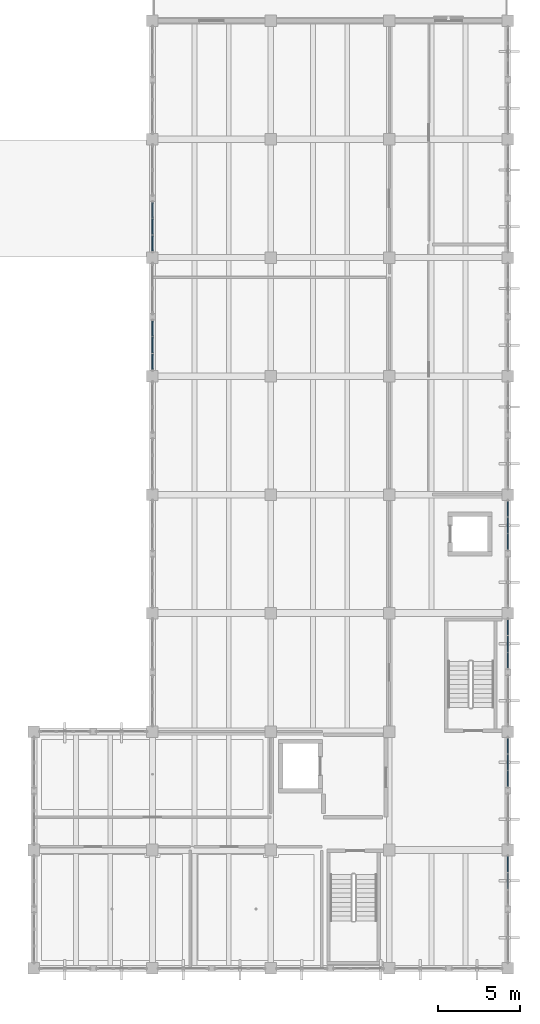
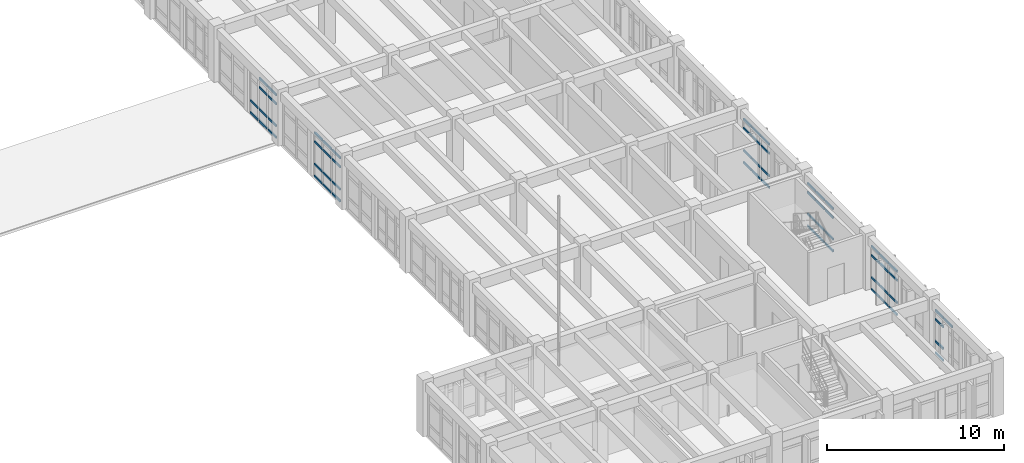
# One storey, part 20 of 54: 63 members, 6 elements without a shape of their own.
"""IFC4 building model written with IfcOpenShell, lengths in metres."""

from ifc_helpers import new_model, si_unit, direction, frame, origin, origin_2d, place, context, subcontext, project, spatial, rectangle, extrude, material, layer, layer_set, material_profile, profile_set, type_object, element, aggregate, save


model = new_model("IFC4")

# Units and contexts
model_context = context("Model", 3, precision=1e-05, world=origin(), true_north=direction((0.0, 1.0)))
body_context = subcontext(model_context, "Body", "Model", "MODEL_VIEW")
ifc_project = project(units=[si_unit("LENGTHUNIT", "METRE"), si_unit("AREAUNIT", "SQUARE_METRE"), si_unit("VOLUMEUNIT", "CUBIC_METRE"), si_unit("PLANEANGLEUNIT", "RADIAN"), si_unit("MASSUNIT", "GRAM", prefix="KILO")], contexts=[model_context])

# Site, building, storey
site_placement = place(None, origin())
site = spatial("IfcSite", under=ifc_project, at=site_placement, CompositionType="ELEMENT")
building_placement = place(site_placement, origin())
building = spatial("IfcBuilding", under=site, at=building_placement, Name="Koriwan Promenade Central Fire Station", CompositionType="ELEMENT")
storey_placement = place(building_placement, frame((0.0, 0.0, 9.60009765625)))
storey = spatial("IfcBuildingStorey", under=building, at=storey_placement, Name="L02", CompositionType="ELEMENT", Elevation=9.60009765625)

# Curtain wall, members
ifc_material_1 = material(Name="Aluminium EN AW-6063-T6 and low-E glazing", Category="aluminium")
ifc_layer_1 = layer(ifc_material_1, 0.159912109375, Name="Aluminium EN AW-6063-T6 and low-E glazing")
ifc_layer_set_1 = layer_set([ifc_layer_1], Name="Aluminium EN AW-6063-T6 and low-E glazing")
curtain_wall_type_1 = type_object("IfcCurtainWallType", Name="CurtainWall_80_305x304", PredefinedType="USERDEFINED", material=ifc_layer_set_1)
curtain_wall_1_placement = place(storey_placement, origin())
curtain_wall_1 = element("IfcCurtainWall", 1, at=curtain_wall_1_placement, inside=storey, type_object=curtain_wall_type_1, Name="V5 L02 unitised curtain wall 229", ObjectType="UNITISED CURTAIN WALL", PredefinedType="USERDEFINED")
ifc_material_2 = material(Name="Aluminium EN AW-6063-T6", Category="aluminium")
ifc_material_profile = material_profile(ifc_material_2, rectangle(XDim=0.074951171875, YDim=0.139892578125, at=origin_2d()), Name="ALU-TRN-75x140")
ifc_profile_set = profile_set([ifc_material_profile], Name="Aluminium EN AW-6063-T6")
member_type = type_object("IfcMemberType", Name="CWTransom_ALU-TRN-75x140", PredefinedType="USERDEFINED", material=ifc_profile_set)
member_1_placement = place(storey_placement, frame((151.199951171875, 36.425048828125, 0.037353515625), z_axis=(0.0, 1.0, 0.0), x_axis=(-1.0, 0.0, 0.0)))
member_1 = element("IfcMember", 2, at=member_1_placement, type_object=member_type, Name="CW-80 transom 1.1", ObjectType="TRANSOM", PredefinedType="USERDEFINED", context=body_context, shape_type="SweptSolid", body=[
    extrude(rectangle(XDim=0.074951171875, YDim=0.139892578125, at=origin_2d()), origin(), (0.0, 0.0, 1.0), 0.904052734375),
])
member_2_placement = place(storey_placement, frame((151.199951171875, 36.425048828125, 0.849853515625), z_axis=(0.0, 1.0, 0.0), x_axis=(-1.0, 0.0, 0.0)))
member_2 = element("IfcMember", 3, at=member_2_placement, type_object=member_type, Name="CW-80 transom 1.2", ObjectType="TRANSOM", PredefinedType="USERDEFINED", context=body_context, shape_type="SweptSolid", body=[
    extrude(rectangle(XDim=0.074951171875, YDim=0.139892578125, at=origin_2d()), origin(), (0.0, 0.0, 1.0), 0.904052734375),
])
member_3_placement = place(storey_placement, frame((151.199951171875, 36.425048828125, 2.389892578125), z_axis=(0.0, 1.0, 0.0), x_axis=(-1.0, 0.0, 0.0)))
member_3 = element("IfcMember", 4, at=member_3_placement, type_object=member_type, Name="CW-80 transom 1.3", ObjectType="TRANSOM", PredefinedType="USERDEFINED", context=body_context, shape_type="SweptSolid", body=[
    extrude(rectangle(XDim=0.074951171875, YDim=0.139892578125, at=origin_2d()), origin(), (0.0, 0.0, 1.0), 0.904052734375),
])
member_4_placement = place(storey_placement, frame((151.199951171875, 36.425048828125, 3.00244140625), z_axis=(0.0, 1.0, 0.0), x_axis=(-1.0, 0.0, 0.0)))
member_4 = element("IfcMember", 5, at=member_4_placement, type_object=member_type, Name="CW-80 transom 1.4", ObjectType="TRANSOM", PredefinedType="USERDEFINED", context=body_context, shape_type="SweptSolid", body=[
    extrude(rectangle(XDim=0.074951171875, YDim=0.139892578125, at=origin_2d()), origin(), (0.0, 0.0, 1.0), 0.904052734375),
])
member_5_placement = place(storey_placement, frame((151.199951171875, 37.404052734375, 0.037353515625), z_axis=(0.0, 1.0, 0.0), x_axis=(-1.0, 0.0, 0.0)))
member_5 = element("IfcMember", 6, at=member_5_placement, type_object=member_type, Name="CW-80 transom 2.1", ObjectType="TRANSOM", PredefinedType="USERDEFINED", context=body_context, shape_type="SweptSolid", body=[
    extrude(rectangle(XDim=0.074951171875, YDim=0.139892578125, at=origin_2d()), origin(), (0.0, 0.0, 1.0), 0.94189453125),
])
member_6_placement = place(storey_placement, frame((151.199951171875, 37.404052734375, 0.849853515625), z_axis=(0.0, 1.0, 0.0), x_axis=(-1.0, 0.0, 0.0)))
member_6 = element("IfcMember", 7, at=member_6_placement, type_object=member_type, Name="CW-80 transom 2.2", ObjectType="TRANSOM", PredefinedType="USERDEFINED", context=body_context, shape_type="SweptSolid", body=[
    extrude(rectangle(XDim=0.074951171875, YDim=0.139892578125, at=origin_2d()), origin(), (0.0, 0.0, 1.0), 0.94189453125),
])
member_7_placement = place(storey_placement, frame((151.199951171875, 37.404052734375, 2.389892578125), z_axis=(0.0, 1.0, 0.0), x_axis=(-1.0, 0.0, 0.0)))
member_7 = element("IfcMember", 8, at=member_7_placement, type_object=member_type, Name="CW-80 transom 2.3", ObjectType="TRANSOM", PredefinedType="USERDEFINED", context=body_context, shape_type="SweptSolid", body=[
    extrude(rectangle(XDim=0.074951171875, YDim=0.139892578125, at=origin_2d()), origin(), (0.0, 0.0, 1.0), 0.94189453125),
])
member_8_placement = place(storey_placement, frame((151.199951171875, 37.404052734375, 3.00244140625), z_axis=(0.0, 1.0, 0.0), x_axis=(-1.0, 0.0, 0.0)))
member_8 = element("IfcMember", 9, at=member_8_placement, type_object=member_type, Name="CW-80 transom 2.4", ObjectType="TRANSOM", PredefinedType="USERDEFINED", context=body_context, shape_type="SweptSolid", body=[
    extrude(rectangle(XDim=0.074951171875, YDim=0.139892578125, at=origin_2d()), origin(), (0.0, 0.0, 1.0), 0.94189453125),
])
member_9_placement = place(storey_placement, frame((151.199951171875, 38.4208984375, 0.037353515625), z_axis=(0.0, 1.0, 0.0), x_axis=(-1.0, 0.0, 0.0)))
member_9 = element("IfcMember", 10, at=member_9_placement, type_object=member_type, Name="CW-80 transom 3.1", ObjectType="TRANSOM", PredefinedType="USERDEFINED", context=body_context, shape_type="SweptSolid", body=[
    extrude(rectangle(XDim=0.074951171875, YDim=0.139892578125, at=origin_2d()), origin(), (0.0, 0.0, 1.0), 0.904052734375),
])
member_10_placement = place(storey_placement, frame((151.199951171875, 38.4208984375, 0.849853515625), z_axis=(0.0, 1.0, 0.0), x_axis=(-1.0, 0.0, 0.0)))
member_10 = element("IfcMember", 11, at=member_10_placement, type_object=member_type, Name="CW-80 transom 3.2", ObjectType="TRANSOM", PredefinedType="USERDEFINED", context=body_context, shape_type="SweptSolid", body=[
    extrude(rectangle(XDim=0.074951171875, YDim=0.139892578125, at=origin_2d()), origin(), (0.0, 0.0, 1.0), 0.904052734375),
])
member_11_placement = place(storey_placement, frame((151.199951171875, 38.4208984375, 2.389892578125), z_axis=(0.0, 1.0, 0.0), x_axis=(-1.0, 0.0, 0.0)))
member_11 = element("IfcMember", 12, at=member_11_placement, type_object=member_type, Name="CW-80 transom 3.3", ObjectType="TRANSOM", PredefinedType="USERDEFINED", context=body_context, shape_type="SweptSolid", body=[
    extrude(rectangle(XDim=0.074951171875, YDim=0.139892578125, at=origin_2d()), origin(), (0.0, 0.0, 1.0), 0.904052734375),
])
member_12_placement = place(storey_placement, frame((151.199951171875, 38.4208984375, 3.00244140625), z_axis=(0.0, 1.0, 0.0), x_axis=(-1.0, 0.0, 0.0)))
member_12 = element("IfcMember", 13, at=member_12_placement, type_object=member_type, Name="CW-80 transom 3.4", ObjectType="TRANSOM", PredefinedType="USERDEFINED", context=body_context, shape_type="SweptSolid", body=[
    extrude(rectangle(XDim=0.074951171875, YDim=0.139892578125, at=origin_2d()), origin(), (0.0, 0.0, 1.0), 0.904052734375),
])
aggregate(curtain_wall_1, [member_1, member_2, member_3, member_4, member_5, member_6, member_7, member_8, member_9, member_10, member_11, member_12])

ifc_layer_2 = layer(ifc_material_1, 0.159912109375, Name="Aluminium EN AW-6063-T6 and low-E glazing")
ifc_layer_set_2 = layer_set([ifc_layer_2], Name="Aluminium EN AW-6063-T6 and low-E glazing")
curtain_wall_type_2 = type_object("IfcCurtainWallType", Name="CurtainWall_74_305x300", PredefinedType="USERDEFINED", material=ifc_layer_set_2)
curtain_wall_2_placement = place(storey_placement, origin())
curtain_wall_2 = element("IfcCurtainWall", 14, at=curtain_wall_2_placement, inside=storey, type_object=curtain_wall_type_2, Name="V5 L02 unitised curtain wall 231", ObjectType="UNITISED CURTAIN WALL", PredefinedType="USERDEFINED")
member_13_placement = place(storey_placement, frame((151.199951171875, 43.625, 0.037353515625), z_axis=(0.0, 1.0, 0.0), x_axis=(-1.0, 0.0, 0.0)))
member_13 = element("IfcMember", 15, at=member_13_placement, type_object=member_type, Name="CW-74 transom 1.1", ObjectType="TRANSOM", PredefinedType="USERDEFINED", context=body_context, shape_type="SweptSolid", body=[
    extrude(rectangle(XDim=0.074951171875, YDim=0.139892578125, at=origin_2d()), origin(), (0.0, 0.0, 1.0), 0.904052734375),
])
member_14_placement = place(storey_placement, frame((151.199951171875, 43.625, 0.849853515625), z_axis=(0.0, 1.0, 0.0), x_axis=(-1.0, 0.0, 0.0)))
member_14 = element("IfcMember", 16, at=member_14_placement, type_object=member_type, Name="CW-74 transom 1.2", ObjectType="TRANSOM", PredefinedType="USERDEFINED", context=body_context, shape_type="SweptSolid", body=[
    extrude(rectangle(XDim=0.074951171875, YDim=0.139892578125, at=origin_2d()), origin(), (0.0, 0.0, 1.0), 0.904052734375),
])
member_15_placement = place(storey_placement, frame((151.199951171875, 43.625, 2.349853515625), z_axis=(0.0, 1.0, 0.0), x_axis=(-1.0, 0.0, 0.0)))
member_15 = element("IfcMember", 17, at=member_15_placement, type_object=member_type, Name="CW-74 transom 1.3", ObjectType="TRANSOM", PredefinedType="USERDEFINED", context=body_context, shape_type="SweptSolid", body=[
    extrude(rectangle(XDim=0.074951171875, YDim=0.139892578125, at=origin_2d()), origin(), (0.0, 0.0, 1.0), 0.904052734375),
])
member_16_placement = place(storey_placement, frame((151.199951171875, 43.625, 2.96240234375), z_axis=(0.0, 1.0, 0.0), x_axis=(-1.0, 0.0, 0.0)))
member_16 = element("IfcMember", 18, at=member_16_placement, type_object=member_type, Name="CW-74 transom 1.4", ObjectType="TRANSOM", PredefinedType="USERDEFINED", context=body_context, shape_type="SweptSolid", body=[
    extrude(rectangle(XDim=0.074951171875, YDim=0.139892578125, at=origin_2d()), origin(), (0.0, 0.0, 1.0), 0.904052734375),
])
member_17_placement = place(storey_placement, frame((151.199951171875, 44.604248046875, 0.037353515625), z_axis=(0.0, 1.0, 0.0), x_axis=(-1.0, 0.0, 0.0)))
member_17 = element("IfcMember", 19, at=member_17_placement, type_object=member_type, Name="CW-74 transom 2.1", ObjectType="TRANSOM", PredefinedType="USERDEFINED", context=body_context, shape_type="SweptSolid", body=[
    extrude(rectangle(XDim=0.074951171875, YDim=0.139892578125, at=origin_2d()), origin(), (0.0, 0.0, 1.0), 0.941650390625),
])
member_18_placement = place(storey_placement, frame((151.199951171875, 44.604248046875, 0.849853515625), z_axis=(0.0, 1.0, 0.0), x_axis=(-1.0, 0.0, 0.0)))
member_18 = element("IfcMember", 20, at=member_18_placement, type_object=member_type, Name="CW-74 transom 2.2", ObjectType="TRANSOM", PredefinedType="USERDEFINED", context=body_context, shape_type="SweptSolid", body=[
    extrude(rectangle(XDim=0.074951171875, YDim=0.139892578125, at=origin_2d()), origin(), (0.0, 0.0, 1.0), 0.941650390625),
])
member_19_placement = place(storey_placement, frame((151.199951171875, 44.604248046875, 2.349853515625), z_axis=(0.0, 1.0, 0.0), x_axis=(-1.0, 0.0, 0.0)))
member_19 = element("IfcMember", 21, at=member_19_placement, type_object=member_type, Name="CW-74 transom 2.3", ObjectType="TRANSOM", PredefinedType="USERDEFINED", context=body_context, shape_type="SweptSolid", body=[
    extrude(rectangle(XDim=0.074951171875, YDim=0.139892578125, at=origin_2d()), origin(), (0.0, 0.0, 1.0), 0.941650390625),
])
member_20_placement = place(storey_placement, frame((151.199951171875, 44.604248046875, 2.96240234375), z_axis=(0.0, 1.0, 0.0), x_axis=(-1.0, 0.0, 0.0)))
member_20 = element("IfcMember", 22, at=member_20_placement, type_object=member_type, Name="CW-74 transom 2.4", ObjectType="TRANSOM", PredefinedType="USERDEFINED", context=body_context, shape_type="SweptSolid", body=[
    extrude(rectangle(XDim=0.074951171875, YDim=0.139892578125, at=origin_2d()), origin(), (0.0, 0.0, 1.0), 0.941650390625),
])
member_21_placement = place(storey_placement, frame((151.199951171875, 45.620849609375, 0.037353515625), z_axis=(0.0, 1.0, 0.0), x_axis=(-1.0, 0.0, 0.0)))
member_21 = element("IfcMember", 23, at=member_21_placement, type_object=member_type, Name="CW-74 transom 3.1", ObjectType="TRANSOM", PredefinedType="USERDEFINED", context=body_context, shape_type="SweptSolid", body=[
    extrude(rectangle(XDim=0.074951171875, YDim=0.139892578125, at=origin_2d()), origin(), (0.0, 0.0, 1.0), 0.904052734375),
])
member_22_placement = place(storey_placement, frame((151.199951171875, 45.620849609375, 0.849853515625), z_axis=(0.0, 1.0, 0.0), x_axis=(-1.0, 0.0, 0.0)))
member_22 = element("IfcMember", 24, at=member_22_placement, type_object=member_type, Name="CW-74 transom 3.2", ObjectType="TRANSOM", PredefinedType="USERDEFINED", context=body_context, shape_type="SweptSolid", body=[
    extrude(rectangle(XDim=0.074951171875, YDim=0.139892578125, at=origin_2d()), origin(), (0.0, 0.0, 1.0), 0.904052734375),
])
aggregate(curtain_wall_2, [member_13, member_14, member_15, member_16, member_17, member_18, member_19, member_20, member_21, member_22])

curtain_wall_3_placement = place(storey_placement, origin())
curtain_wall_3 = element("IfcCurtainWall", 25, at=curtain_wall_3_placement, inside=storey, type_object=curtain_wall_type_1, Name="V5 L02 unitised curtain wall 243", ObjectType="UNITISED CURTAIN WALL", PredefinedType="USERDEFINED")
member_23_placement = place(storey_placement, frame((172.800048828125, 28.375, 0.037353515625), z_axis=(0.0, -1.0, 0.0), x_axis=(1.0, 0.0, 0.0)))
member_23 = element("IfcMember", 26, at=member_23_placement, type_object=member_type, Name="CW-80 transom 1.1", ObjectType="TRANSOM", PredefinedType="USERDEFINED", context=body_context, shape_type="SweptSolid", body=[
    extrude(rectangle(XDim=0.074951171875, YDim=0.139892578125, at=origin_2d()), origin(), (0.0, 0.0, 1.0), 0.904052734375),
])
member_24_placement = place(storey_placement, frame((172.800048828125, 28.375, 0.849853515625), z_axis=(0.0, -1.0, 0.0), x_axis=(1.0, 0.0, 0.0)))
member_24 = element("IfcMember", 27, at=member_24_placement, type_object=member_type, Name="CW-80 transom 1.2", ObjectType="TRANSOM", PredefinedType="USERDEFINED", context=body_context, shape_type="SweptSolid", body=[
    extrude(rectangle(XDim=0.074951171875, YDim=0.139892578125, at=origin_2d()), origin(), (0.0, 0.0, 1.0), 0.904052734375),
])
member_25_placement = place(storey_placement, frame((172.800048828125, 28.375, 2.389892578125), z_axis=(0.0, -1.0, 0.0), x_axis=(1.0, 0.0, 0.0)))
member_25 = element("IfcMember", 28, at=member_25_placement, type_object=member_type, Name="CW-80 transom 1.3", ObjectType="TRANSOM", PredefinedType="USERDEFINED", context=body_context, shape_type="SweptSolid", body=[
    extrude(rectangle(XDim=0.074951171875, YDim=0.139892578125, at=origin_2d()), origin(), (0.0, 0.0, 1.0), 0.904052734375),
])
member_26_placement = place(storey_placement, frame((172.800048828125, 28.375, 3.00244140625), z_axis=(0.0, -1.0, 0.0), x_axis=(1.0, 0.0, 0.0)))
member_26 = element("IfcMember", 29, at=member_26_placement, type_object=member_type, Name="CW-80 transom 1.4", ObjectType="TRANSOM", PredefinedType="USERDEFINED", context=body_context, shape_type="SweptSolid", body=[
    extrude(rectangle(XDim=0.074951171875, YDim=0.139892578125, at=origin_2d()), origin(), (0.0, 0.0, 1.0), 0.904052734375),
])
member_27_placement = place(storey_placement, frame((172.800048828125, 27.395751953125, 0.037353515625), z_axis=(0.0, -1.0, 0.0), x_axis=(1.0, 0.0, 0.0)))
member_27 = element("IfcMember", 30, at=member_27_placement, type_object=member_type, Name="CW-80 transom 2.1", ObjectType="TRANSOM", PredefinedType="USERDEFINED", context=body_context, shape_type="SweptSolid", body=[
    extrude(rectangle(XDim=0.074951171875, YDim=0.139892578125, at=origin_2d()), origin(), (0.0, 0.0, 1.0), 0.941650390625),
])
member_28_placement = place(storey_placement, frame((172.800048828125, 27.395751953125, 0.849853515625), z_axis=(0.0, -1.0, 0.0), x_axis=(1.0, 0.0, 0.0)))
member_28 = element("IfcMember", 31, at=member_28_placement, type_object=member_type, Name="CW-80 transom 2.2", ObjectType="TRANSOM", PredefinedType="USERDEFINED", context=body_context, shape_type="SweptSolid", body=[
    extrude(rectangle(XDim=0.074951171875, YDim=0.139892578125, at=origin_2d()), origin(), (0.0, 0.0, 1.0), 0.941650390625),
])
member_29_placement = place(storey_placement, frame((172.800048828125, 27.395751953125, 2.389892578125), z_axis=(0.0, -1.0, 0.0), x_axis=(1.0, 0.0, 0.0)))
member_29 = element("IfcMember", 32, at=member_29_placement, type_object=member_type, Name="CW-80 transom 2.3", ObjectType="TRANSOM", PredefinedType="USERDEFINED", context=body_context, shape_type="SweptSolid", body=[
    extrude(rectangle(XDim=0.074951171875, YDim=0.139892578125, at=origin_2d()), origin(), (0.0, 0.0, 1.0), 0.941650390625),
])
member_30_placement = place(storey_placement, frame((172.800048828125, 27.395751953125, 3.00244140625), z_axis=(0.0, -1.0, 0.0), x_axis=(1.0, 0.0, 0.0)))
member_30 = element("IfcMember", 33, at=member_30_placement, type_object=member_type, Name="CW-80 transom 2.4", ObjectType="TRANSOM", PredefinedType="USERDEFINED", context=body_context, shape_type="SweptSolid", body=[
    extrude(rectangle(XDim=0.074951171875, YDim=0.139892578125, at=origin_2d()), origin(), (0.0, 0.0, 1.0), 0.941650390625),
])
member_31_placement = place(storey_placement, frame((172.800048828125, 26.379150390625, 0.037353515625), z_axis=(0.0, -1.0, 0.0), x_axis=(1.0, 0.0, 0.0)))
member_31 = element("IfcMember", 34, at=member_31_placement, type_object=member_type, Name="CW-80 transom 3.1", ObjectType="TRANSOM", PredefinedType="USERDEFINED", context=body_context, shape_type="SweptSolid", body=[
    extrude(rectangle(XDim=0.074951171875, YDim=0.139892578125, at=origin_2d()), origin(), (0.0, 0.0, 1.0), 0.904052734375),
])
member_32_placement = place(storey_placement, frame((172.800048828125, 26.379150390625, 0.849853515625), z_axis=(0.0, -1.0, 0.0), x_axis=(1.0, 0.0, 0.0)))
member_32 = element("IfcMember", 35, at=member_32_placement, type_object=member_type, Name="CW-80 transom 3.2", ObjectType="TRANSOM", PredefinedType="USERDEFINED", context=body_context, shape_type="SweptSolid", body=[
    extrude(rectangle(XDim=0.074951171875, YDim=0.139892578125, at=origin_2d()), origin(), (0.0, 0.0, 1.0), 0.904052734375),
])
member_33_placement = place(storey_placement, frame((172.800048828125, 26.379150390625, 2.389892578125), z_axis=(0.0, -1.0, 0.0), x_axis=(1.0, 0.0, 0.0)))
member_33 = element("IfcMember", 36, at=member_33_placement, type_object=member_type, Name="CW-80 transom 3.3", ObjectType="TRANSOM", PredefinedType="USERDEFINED", context=body_context, shape_type="SweptSolid", body=[
    extrude(rectangle(XDim=0.074951171875, YDim=0.139892578125, at=origin_2d()), origin(), (0.0, 0.0, 1.0), 0.904052734375),
])
member_34_placement = place(storey_placement, frame((172.800048828125, 26.379150390625, 3.00244140625), z_axis=(0.0, -1.0, 0.0), x_axis=(1.0, 0.0, 0.0)))
member_34 = element("IfcMember", 37, at=member_34_placement, type_object=member_type, Name="CW-80 transom 3.4", ObjectType="TRANSOM", PredefinedType="USERDEFINED", context=body_context, shape_type="SweptSolid", body=[
    extrude(rectangle(XDim=0.074951171875, YDim=0.139892578125, at=origin_2d()), origin(), (0.0, 0.0, 1.0), 0.904052734375),
])
aggregate(curtain_wall_3, [member_23, member_24, member_25, member_26, member_27, member_28, member_29, member_30, member_31, member_32, member_33, member_34])

ifc_layer_3 = layer(ifc_material_1, 0.159912109375, Name="Aluminium EN AW-6063-T6 and low-E glazing")
ifc_layer_set_3 = layer_set([ifc_layer_3], Name="Aluminium EN AW-6063-T6 and low-E glazing")
curtain_wall_type_3 = type_object("IfcCurtainWallType", Name="CurtainWall_73_305x299", PredefinedType="USERDEFINED", material=ifc_layer_set_3)
curtain_wall_4_placement = place(storey_placement, origin())
curtain_wall_4 = element("IfcCurtainWall", 38, at=curtain_wall_4_placement, inside=storey, type_object=curtain_wall_type_3, Name="V5 L02 unitised curtain wall 245", ObjectType="UNITISED CURTAIN WALL", PredefinedType="USERDEFINED")
member_35_placement = place(storey_placement, frame((172.800048828125, 21.175048828125, 0.037353515625), z_axis=(0.0, -1.0, 0.0), x_axis=(1.0, 0.0, 0.0)))
member_35 = element("IfcMember", 39, at=member_35_placement, type_object=member_type, Name="CW-73 transom 1.1", ObjectType="TRANSOM", PredefinedType="USERDEFINED", context=body_context, shape_type="SweptSolid", body=[
    extrude(rectangle(XDim=0.074951171875, YDim=0.139892578125, at=origin_2d()), origin(), (0.0, 0.0, 1.0), 0.904296875),
])
member_36_placement = place(storey_placement, frame((172.800048828125, 21.175048828125, 0.849853515625), z_axis=(0.0, -1.0, 0.0), x_axis=(1.0, 0.0, 0.0)))
member_36 = element("IfcMember", 40, at=member_36_placement, type_object=member_type, Name="CW-73 transom 1.2", ObjectType="TRANSOM", PredefinedType="USERDEFINED", context=body_context, shape_type="SweptSolid", body=[
    extrude(rectangle(XDim=0.074951171875, YDim=0.139892578125, at=origin_2d()), origin(), (0.0, 0.0, 1.0), 0.904296875),
])
member_37_placement = place(storey_placement, frame((172.800048828125, 21.175048828125, 2.33984375), z_axis=(0.0, -1.0, 0.0), x_axis=(1.0, 0.0, 0.0)))
member_37 = element("IfcMember", 41, at=member_37_placement, type_object=member_type, Name="CW-73 transom 1.3", ObjectType="TRANSOM", PredefinedType="USERDEFINED", context=body_context, shape_type="SweptSolid", body=[
    extrude(rectangle(XDim=0.074951171875, YDim=0.139892578125, at=origin_2d()), origin(), (0.0, 0.0, 1.0), 0.904296875),
])
member_38_placement = place(storey_placement, frame((172.800048828125, 21.175048828125, 2.952392578125), z_axis=(0.0, -1.0, 0.0), x_axis=(1.0, 0.0, 0.0)))
member_38 = element("IfcMember", 42, at=member_38_placement, type_object=member_type, Name="CW-73 transom 1.4", ObjectType="TRANSOM", PredefinedType="USERDEFINED", context=body_context, shape_type="SweptSolid", body=[
    extrude(rectangle(XDim=0.074951171875, YDim=0.139892578125, at=origin_2d()), origin(), (0.0, 0.0, 1.0), 0.904296875),
])
member_39_placement = place(storey_placement, frame((172.800048828125, 20.19580078125, 0.037353515625), z_axis=(0.0, -1.0, 0.0), x_axis=(1.0, 0.0, 0.0)))
member_39 = element("IfcMember", 43, at=member_39_placement, type_object=member_type, Name="CW-73 transom 2.1", ObjectType="TRANSOM", PredefinedType="USERDEFINED", context=body_context, shape_type="SweptSolid", body=[
    extrude(rectangle(XDim=0.074951171875, YDim=0.139892578125, at=origin_2d()), origin(), (0.0, 0.0, 1.0), 0.941650390625),
])
member_40_placement = place(storey_placement, frame((172.800048828125, 20.19580078125, 0.849853515625), z_axis=(0.0, -1.0, 0.0), x_axis=(1.0, 0.0, 0.0)))
member_40 = element("IfcMember", 44, at=member_40_placement, type_object=member_type, Name="CW-73 transom 2.2", ObjectType="TRANSOM", PredefinedType="USERDEFINED", context=body_context, shape_type="SweptSolid", body=[
    extrude(rectangle(XDim=0.074951171875, YDim=0.139892578125, at=origin_2d()), origin(), (0.0, 0.0, 1.0), 0.941650390625),
])
member_41_placement = place(storey_placement, frame((172.800048828125, 20.19580078125, 2.33984375), z_axis=(0.0, -1.0, 0.0), x_axis=(1.0, 0.0, 0.0)))
member_41 = element("IfcMember", 45, at=member_41_placement, type_object=member_type, Name="CW-73 transom 2.3", ObjectType="TRANSOM", PredefinedType="USERDEFINED", context=body_context, shape_type="SweptSolid", body=[
    extrude(rectangle(XDim=0.074951171875, YDim=0.139892578125, at=origin_2d()), origin(), (0.0, 0.0, 1.0), 0.941650390625),
])
member_42_placement = place(storey_placement, frame((172.800048828125, 20.19580078125, 2.952392578125), z_axis=(0.0, -1.0, 0.0), x_axis=(1.0, 0.0, 0.0)))
member_42 = element("IfcMember", 46, at=member_42_placement, type_object=member_type, Name="CW-73 transom 2.4", ObjectType="TRANSOM", PredefinedType="USERDEFINED", context=body_context, shape_type="SweptSolid", body=[
    extrude(rectangle(XDim=0.074951171875, YDim=0.139892578125, at=origin_2d()), origin(), (0.0, 0.0, 1.0), 0.941650390625),
])
member_43_placement = place(storey_placement, frame((172.800048828125, 19.17919921875, 0.037353515625), z_axis=(0.0, -1.0, 0.0), x_axis=(1.0, 0.0, 0.0)))
member_43 = element("IfcMember", 47, at=member_43_placement, type_object=member_type, Name="CW-73 transom 3.1", ObjectType="TRANSOM", PredefinedType="USERDEFINED", context=body_context, shape_type="SweptSolid", body=[
    extrude(rectangle(XDim=0.074951171875, YDim=0.139892578125, at=origin_2d()), origin(), (0.0, 0.0, 1.0), 0.904296875),
])
member_44_placement = place(storey_placement, frame((172.800048828125, 19.17919921875, 0.849853515625), z_axis=(0.0, -1.0, 0.0), x_axis=(1.0, 0.0, 0.0)))
member_44 = element("IfcMember", 48, at=member_44_placement, type_object=member_type, Name="CW-73 transom 3.2", ObjectType="TRANSOM", PredefinedType="USERDEFINED", context=body_context, shape_type="SweptSolid", body=[
    extrude(rectangle(XDim=0.074951171875, YDim=0.139892578125, at=origin_2d()), origin(), (0.0, 0.0, 1.0), 0.904296875),
])
member_45_placement = place(storey_placement, frame((172.800048828125, 19.17919921875, 2.33984375), z_axis=(0.0, -1.0, 0.0), x_axis=(1.0, 0.0, 0.0)))
member_45 = element("IfcMember", 49, at=member_45_placement, type_object=member_type, Name="CW-73 transom 3.3", ObjectType="TRANSOM", PredefinedType="USERDEFINED", context=body_context, shape_type="SweptSolid", body=[
    extrude(rectangle(XDim=0.074951171875, YDim=0.139892578125, at=origin_2d()), origin(), (0.0, 0.0, 1.0), 0.904296875),
])
member_46_placement = place(storey_placement, frame((172.800048828125, 19.17919921875, 2.952392578125), z_axis=(0.0, -1.0, 0.0), x_axis=(1.0, 0.0, 0.0)))
member_46 = element("IfcMember", 50, at=member_46_placement, type_object=member_type, Name="CW-73 transom 3.4", ObjectType="TRANSOM", PredefinedType="USERDEFINED", context=body_context, shape_type="SweptSolid", body=[
    extrude(rectangle(XDim=0.074951171875, YDim=0.139892578125, at=origin_2d()), origin(), (0.0, 0.0, 1.0), 0.904296875),
])
aggregate(curtain_wall_4, [member_35, member_36, member_37, member_38, member_39, member_40, member_41, member_42, member_43, member_44, member_45, member_46])

curtain_wall_5_placement = place(storey_placement, origin())
curtain_wall_5 = element("IfcCurtainWall", 51, at=curtain_wall_5_placement, inside=storey, type_object=curtain_wall_type_1, Name="V5 L02 unitised curtain wall 247", ObjectType="UNITISED CURTAIN WALL", PredefinedType="USERDEFINED")
member_47_placement = place(storey_placement, frame((172.800048828125, 13.97509765625, 0.037353515625), z_axis=(0.0, -1.0, 0.0), x_axis=(1.0, 0.0, 0.0)))
member_47 = element("IfcMember", 52, at=member_47_placement, type_object=member_type, Name="CW-80 transom 1.1", ObjectType="TRANSOM", PredefinedType="USERDEFINED", context=body_context, shape_type="SweptSolid", body=[
    extrude(rectangle(XDim=0.074951171875, YDim=0.139892578125, at=origin_2d()), origin(), (0.0, 0.0, 1.0), 0.904296875),
])
member_48_placement = place(storey_placement, frame((172.800048828125, 13.97509765625, 0.849853515625), z_axis=(0.0, -1.0, 0.0), x_axis=(1.0, 0.0, 0.0)))
member_48 = element("IfcMember", 53, at=member_48_placement, type_object=member_type, Name="CW-80 transom 1.2", ObjectType="TRANSOM", PredefinedType="USERDEFINED", context=body_context, shape_type="SweptSolid", body=[
    extrude(rectangle(XDim=0.074951171875, YDim=0.139892578125, at=origin_2d()), origin(), (0.0, 0.0, 1.0), 0.904296875),
])
member_49_placement = place(storey_placement, frame((172.800048828125, 13.97509765625, 2.389892578125), z_axis=(0.0, -1.0, 0.0), x_axis=(1.0, 0.0, 0.0)))
member_49 = element("IfcMember", 54, at=member_49_placement, type_object=member_type, Name="CW-80 transom 1.3", ObjectType="TRANSOM", PredefinedType="USERDEFINED", context=body_context, shape_type="SweptSolid", body=[
    extrude(rectangle(XDim=0.074951171875, YDim=0.139892578125, at=origin_2d()), origin(), (0.0, 0.0, 1.0), 0.904296875),
])
member_50_placement = place(storey_placement, frame((172.800048828125, 13.97509765625, 3.00244140625), z_axis=(0.0, -1.0, 0.0), x_axis=(1.0, 0.0, 0.0)))
member_50 = element("IfcMember", 55, at=member_50_placement, type_object=member_type, Name="CW-80 transom 1.4", ObjectType="TRANSOM", PredefinedType="USERDEFINED", context=body_context, shape_type="SweptSolid", body=[
    extrude(rectangle(XDim=0.074951171875, YDim=0.139892578125, at=origin_2d()), origin(), (0.0, 0.0, 1.0), 0.904296875),
])
member_51_placement = place(storey_placement, frame((172.800048828125, 12.995849609375, 0.037353515625), z_axis=(0.0, -1.0, 0.0), x_axis=(1.0, 0.0, 0.0)))
member_51 = element("IfcMember", 56, at=member_51_placement, type_object=member_type, Name="CW-80 transom 2.1", ObjectType="TRANSOM", PredefinedType="USERDEFINED", context=body_context, shape_type="SweptSolid", body=[
    extrude(rectangle(XDim=0.074951171875, YDim=0.139892578125, at=origin_2d()), origin(), (0.0, 0.0, 1.0), 0.941650390625),
])
member_52_placement = place(storey_placement, frame((172.800048828125, 12.995849609375, 0.849853515625), z_axis=(0.0, -1.0, 0.0), x_axis=(1.0, 0.0, 0.0)))
member_52 = element("IfcMember", 57, at=member_52_placement, type_object=member_type, Name="CW-80 transom 2.2", ObjectType="TRANSOM", PredefinedType="USERDEFINED", context=body_context, shape_type="SweptSolid", body=[
    extrude(rectangle(XDim=0.074951171875, YDim=0.139892578125, at=origin_2d()), origin(), (0.0, 0.0, 1.0), 0.941650390625),
])
member_53_placement = place(storey_placement, frame((172.800048828125, 12.995849609375, 2.389892578125), z_axis=(0.0, -1.0, 0.0), x_axis=(1.0, 0.0, 0.0)))
member_53 = element("IfcMember", 58, at=member_53_placement, type_object=member_type, Name="CW-80 transom 2.3", ObjectType="TRANSOM", PredefinedType="USERDEFINED", context=body_context, shape_type="SweptSolid", body=[
    extrude(rectangle(XDim=0.074951171875, YDim=0.139892578125, at=origin_2d()), origin(), (0.0, 0.0, 1.0), 0.941650390625),
])
member_54_placement = place(storey_placement, frame((172.800048828125, 12.995849609375, 3.00244140625), z_axis=(0.0, -1.0, 0.0), x_axis=(1.0, 0.0, 0.0)))
member_54 = element("IfcMember", 59, at=member_54_placement, type_object=member_type, Name="CW-80 transom 2.4", ObjectType="TRANSOM", PredefinedType="USERDEFINED", context=body_context, shape_type="SweptSolid", body=[
    extrude(rectangle(XDim=0.074951171875, YDim=0.139892578125, at=origin_2d()), origin(), (0.0, 0.0, 1.0), 0.941650390625),
])
member_55_placement = place(storey_placement, frame((172.800048828125, 11.979248046875, 0.037353515625), z_axis=(0.0, -1.0, 0.0), x_axis=(1.0, 0.0, 0.0)))
member_55 = element("IfcMember", 60, at=member_55_placement, type_object=member_type, Name="CW-80 transom 3.1", ObjectType="TRANSOM", PredefinedType="USERDEFINED", context=body_context, shape_type="SweptSolid", body=[
    extrude(rectangle(XDim=0.074951171875, YDim=0.139892578125, at=origin_2d()), origin(), (0.0, 0.0, 1.0), 0.904296875),
])
member_56_placement = place(storey_placement, frame((172.800048828125, 11.979248046875, 0.849853515625), z_axis=(0.0, -1.0, 0.0), x_axis=(1.0, 0.0, 0.0)))
member_56 = element("IfcMember", 61, at=member_56_placement, type_object=member_type, Name="CW-80 transom 3.2", ObjectType="TRANSOM", PredefinedType="USERDEFINED", context=body_context, shape_type="SweptSolid", body=[
    extrude(rectangle(XDim=0.074951171875, YDim=0.139892578125, at=origin_2d()), origin(), (0.0, 0.0, 1.0), 0.904296875),
])
member_57_placement = place(storey_placement, frame((172.800048828125, 11.979248046875, 2.389892578125), z_axis=(0.0, -1.0, 0.0), x_axis=(1.0, 0.0, 0.0)))
member_57 = element("IfcMember", 62, at=member_57_placement, type_object=member_type, Name="CW-80 transom 3.3", ObjectType="TRANSOM", PredefinedType="USERDEFINED", context=body_context, shape_type="SweptSolid", body=[
    extrude(rectangle(XDim=0.074951171875, YDim=0.139892578125, at=origin_2d()), origin(), (0.0, 0.0, 1.0), 0.904296875),
])
member_58_placement = place(storey_placement, frame((172.800048828125, 11.979248046875, 3.00244140625), z_axis=(0.0, -1.0, 0.0), x_axis=(1.0, 0.0, 0.0)))
member_58 = element("IfcMember", 63, at=member_58_placement, type_object=member_type, Name="CW-80 transom 3.4", ObjectType="TRANSOM", PredefinedType="USERDEFINED", context=body_context, shape_type="SweptSolid", body=[
    extrude(rectangle(XDim=0.074951171875, YDim=0.139892578125, at=origin_2d()), origin(), (0.0, 0.0, 1.0), 0.904296875),
])
aggregate(curtain_wall_5, [member_47, member_48, member_49, member_50, member_51, member_52, member_53, member_54, member_55, member_56, member_57, member_58])

curtain_wall_6_placement = place(storey_placement, origin())
curtain_wall_6 = element("IfcCurtainWall", 64, at=curtain_wall_6_placement, inside=storey, type_object=curtain_wall_type_3, Name="V5 L02 unitised curtain wall 249", ObjectType="UNITISED CURTAIN WALL", PredefinedType="USERDEFINED")
member_59_placement = place(storey_placement, frame((172.800048828125, 6.77490234375, 0.037353515625), z_axis=(0.0, -1.0, 0.0), x_axis=(1.0, 0.0, 0.0)))
member_59 = element("IfcMember", 65, at=member_59_placement, type_object=member_type, Name="CW-73 transom 1.1", ObjectType="TRANSOM", PredefinedType="USERDEFINED", context=body_context, shape_type="SweptSolid", body=[
    extrude(rectangle(XDim=0.074951171875, YDim=0.139892578125, at=origin_2d()), origin(), (0.0, 0.0, 1.0), 0.904052734375),
])
member_60_placement = place(storey_placement, frame((172.800048828125, 6.77490234375, 0.849853515625), z_axis=(0.0, -1.0, 0.0), x_axis=(1.0, 0.0, 0.0)))
member_60 = element("IfcMember", 66, at=member_60_placement, type_object=member_type, Name="CW-73 transom 1.2", ObjectType="TRANSOM", PredefinedType="USERDEFINED", context=body_context, shape_type="SweptSolid", body=[
    extrude(rectangle(XDim=0.074951171875, YDim=0.139892578125, at=origin_2d()), origin(), (0.0, 0.0, 1.0), 0.904052734375),
])
member_61_placement = place(storey_placement, frame((172.800048828125, 6.77490234375, 2.33984375), z_axis=(0.0, -1.0, 0.0), x_axis=(1.0, 0.0, 0.0)))
member_61 = element("IfcMember", 67, at=member_61_placement, type_object=member_type, Name="CW-73 transom 1.3", ObjectType="TRANSOM", PredefinedType="USERDEFINED", context=body_context, shape_type="SweptSolid", body=[
    extrude(rectangle(XDim=0.074951171875, YDim=0.139892578125, at=origin_2d()), origin(), (0.0, 0.0, 1.0), 0.904052734375),
])
member_62_placement = place(storey_placement, frame((172.800048828125, 6.77490234375, 2.952392578125), z_axis=(0.0, -1.0, 0.0), x_axis=(1.0, 0.0, 0.0)))
member_62 = element("IfcMember", 68, at=member_62_placement, type_object=member_type, Name="CW-73 transom 1.4", ObjectType="TRANSOM", PredefinedType="USERDEFINED", context=body_context, shape_type="SweptSolid", body=[
    extrude(rectangle(XDim=0.074951171875, YDim=0.139892578125, at=origin_2d()), origin(), (0.0, 0.0, 1.0), 0.904052734375),
])
member_63_placement = place(storey_placement, frame((172.800048828125, 5.7958984375, 2.952392578125), z_axis=(0.0, -1.0, 0.0), x_axis=(1.0, 0.0, 0.0)))
member_63 = element("IfcMember", 69, at=member_63_placement, type_object=member_type, Name="CW-73 transom 2.4", ObjectType="TRANSOM", PredefinedType="USERDEFINED", context=body_context, shape_type="SweptSolid", body=[
    extrude(rectangle(XDim=0.074951171875, YDim=0.139892578125, at=origin_2d()), origin(), (0.0, 0.0, 1.0), 0.941650390625),
])
aggregate(curtain_wall_6, [member_59, member_60, member_61, member_62, member_63])

save(model, "model.ifc")
